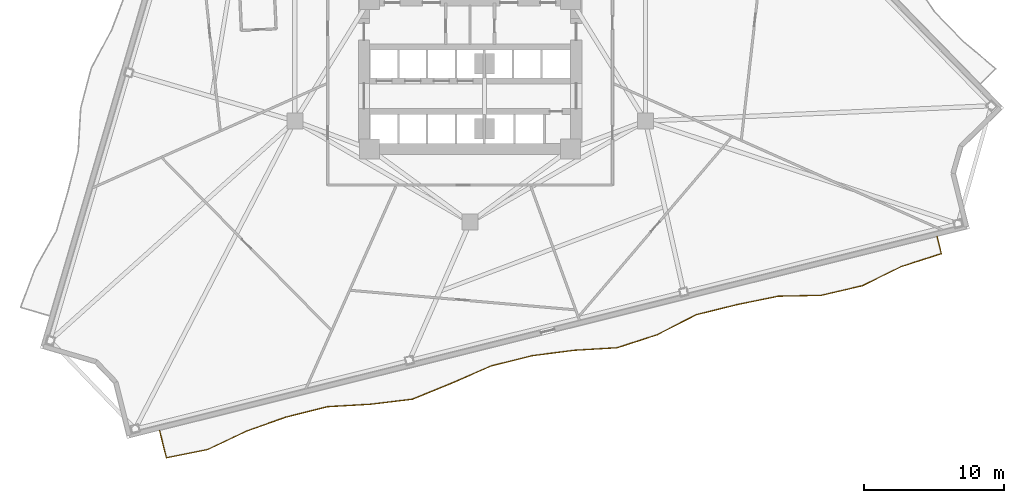
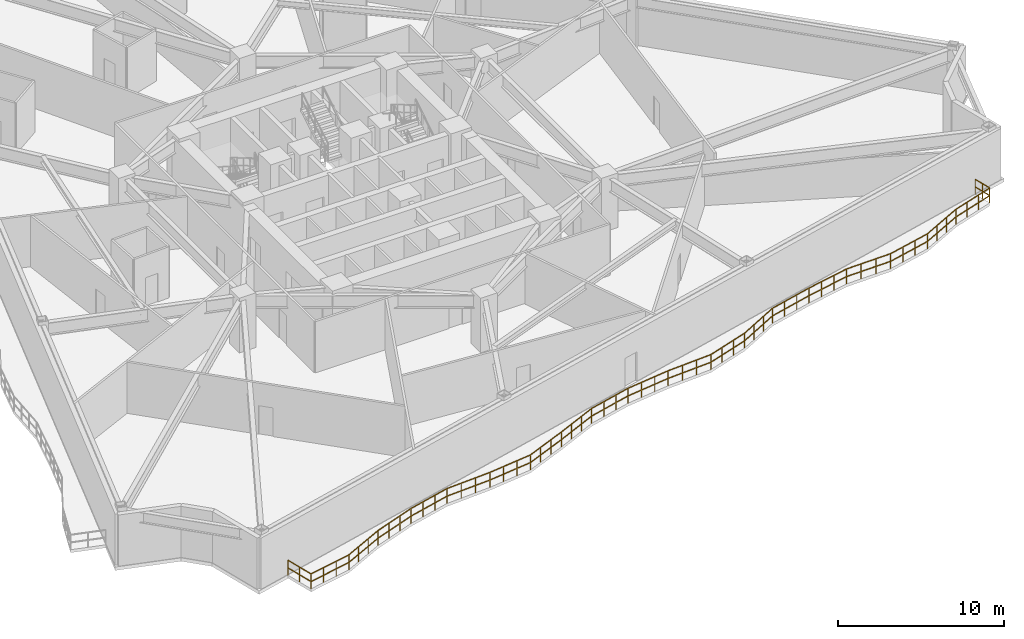
# One storey, part 7 of 10: 1 railing.
"""IFC4 building model written with IfcOpenShell, lengths in metres."""

from ifc_helpers import new_model, si_unit, direction, frame, origin, origin_2d, place, context, subcontext, project, spatial, rectangle, extrude, material, type_object, element, save


model = new_model("IFC4")

# Units and contexts
model_context = context("Model", 3, precision=1e-05, world=origin(), true_north=direction((0.0, 1.0)))
body_context = subcontext(model_context, "Body", "Model", "MODEL_VIEW")
ifc_project = project(units=[si_unit("LENGTHUNIT", "METRE"), si_unit("AREAUNIT", "SQUARE_METRE"), si_unit("VOLUMEUNIT", "CUBIC_METRE"), si_unit("PLANEANGLEUNIT", "RADIAN"), si_unit("MASSUNIT", "GRAM", prefix="KILO")], contexts=[model_context])

# Site, building, storey
site_placement = place(None, origin())
site = spatial("IfcSite", under=ifc_project, at=site_placement, CompositionType="ELEMENT")
building_placement = place(site_placement, origin())
building = spatial("IfcBuilding", under=site, at=building_placement, Name="Apsidion Concourse Tower", CompositionType="ELEMENT")
storey_placement = place(building_placement, frame((0.0, 0.0, 99.0)))
storey = spatial("IfcBuildingStorey", under=building, at=storey_placement, Name="L22", CompositionType="ELEMENT", Elevation=99.0)

# Railing
ifc_material = material(Name="Brushed stainless steel 316", Category="steel")
railing_type = type_object("IfcRailingType", Name="RL-BAL-1120", PredefinedType="BALUSTRADE", material=ifc_material)
railing_placement = place(storey_placement, frame((33.4599609375, -15.544677734375, 0.0)))
element("IfcRailing", 1, at=railing_placement, inside=storey, type_object=railing_type, Name="L22 Face 2 Rippling Balcony Balustrade", PredefinedType="BALUSTRADE", context=body_context, shape_type="SweptSolid", body=[
    extrude(rectangle(XDim=0.048095703125, YDim=0.048095703125, at=origin_2d()), frame((0.0, 0.0, 1.09619140625), z_axis=(0.241800250988, -0.970326047585, 0.0), x_axis=(0.970326047585, 0.241800250988, 0.0)), (0.0, 0.0, 1.0), 1.25),
    extrude(rectangle(XDim=0.048095703125, YDim=0.048095703125, at=origin_2d()), frame((0.0, 0.0, 0.5361328125), z_axis=(0.241800250988, -0.970326047585, 0.0), x_axis=(0.970326047585, 0.241800250988, 0.0)), (0.0, 0.0, 1.0), 1.25),
    extrude(rectangle(XDim=0.048095703125, YDim=0.048095703125, at=origin_2d()), frame((0.30224609375, -1.212890625, 1.09619140625), z_axis=(-0.952093132776, -0.30580821853, 0.0), x_axis=(0.30580821853, -0.952093132776, 0.0)), (0.0, 0.0, 1.0), 3.028076171875),
    extrude(rectangle(XDim=0.048095703125, YDim=0.048095703125, at=origin_2d()), frame((0.30224609375, -1.212890625, 0.5361328125), z_axis=(-0.952093132776, -0.30580821853, 0.0), x_axis=(0.30580821853, -0.952093132776, 0.0)), (0.0, 0.0, 1.0), 3.028076171875),
    extrude(rectangle(XDim=0.048095703125, YDim=0.048095703125, at=origin_2d()), frame((-2.580810546875, -2.138916015625, 1.09619140625), z_axis=(-0.896689328315, -0.442660421189, 0.0), x_axis=(0.442660421189, -0.896689328315, 0.0)), (0.0, 0.0, 1.0), 3.092529296875),
    extrude(rectangle(XDim=0.048095703125, YDim=0.048095703125, at=origin_2d()), frame((-2.580810546875, -2.138916015625, 0.5361328125), z_axis=(-0.896689328315, -0.442660421189, 0.0), x_axis=(0.442660421189, -0.896689328315, 0.0)), (0.0, 0.0, 1.0), 3.092529296875),
    extrude(rectangle(XDim=0.048095703125, YDim=0.048095703125, at=origin_2d()), frame((-5.353759765625, -3.5078125, 1.09619140625), z_axis=(-0.973472238197, -0.228805160476, 0.0), x_axis=(0.228805160476, -0.973472238197, 0.0)), (0.0, 0.0, 1.0), 3.021728515625),
    extrude(rectangle(XDim=0.048095703125, YDim=0.048095703125, at=origin_2d()), frame((-5.353759765625, -3.5078125, 0.5361328125), z_axis=(-0.973472238197, -0.228805160476, 0.0), x_axis=(0.228805160476, -0.973472238197, 0.0)), (0.0, 0.0, 1.0), 3.021728515625),
    extrude(rectangle(XDim=0.048095703125, YDim=0.048095703125, at=origin_2d()), frame((-8.29541015625, -4.19921875, 1.09619140625), z_axis=(-0.999791818463, -0.020403914663, 0.0), x_axis=(0.020403914663, -0.999791818463, 0.0)), (0.0, 0.0, 1.0), 3.09912109375),
    extrude(rectangle(XDim=0.048095703125, YDim=0.048095703125, at=origin_2d()), frame((-8.29541015625, -4.19921875, 0.5361328125), z_axis=(-0.999791818463, -0.020403914663, 0.0), x_axis=(0.020403914663, -0.999791818463, 0.0)), (0.0, 0.0, 1.0), 3.09912109375),
    extrude(rectangle(XDim=0.048095703125, YDim=0.048095703125, at=origin_2d()), frame((-11.393798828125, -4.262451171875, 1.09619140625), z_axis=(-0.979771445495, -0.200119750629, 0.0), x_axis=(0.200119750629, -0.979771445495, 0.0)), (0.0, 0.0, 1.0), 3.0244140625),
    extrude(rectangle(XDim=0.048095703125, YDim=0.048095703125, at=origin_2d()), frame((-11.393798828125, -4.262451171875, 0.5361328125), z_axis=(-0.979771445495, -0.200119750629, 0.0), x_axis=(0.200119750629, -0.979771445495, 0.0)), (0.0, 0.0, 1.0), 3.0244140625),
    extrude(rectangle(XDim=0.048095703125, YDim=0.048095703125, at=origin_2d()), frame((-14.35693359375, -4.86767578125, 1.09619140625), z_axis=(-0.970299139815, -0.241908204231, 0.0), x_axis=(0.241908204231, -0.970299139815, 0.0)), (0.0, 0.0, 1.0), 3.021728515625),
    extrude(rectangle(XDim=0.048095703125, YDim=0.048095703125, at=origin_2d()), frame((-14.35693359375, -4.86767578125, 0.5361328125), z_axis=(-0.970299139815, -0.241908204231, 0.0), x_axis=(0.241908204231, -0.970299139815, 0.0)), (0.0, 0.0, 1.0), 3.021728515625),
    extrude(rectangle(XDim=0.048095703125, YDim=0.048095703125, at=origin_2d()), frame((-17.288818359375, -5.5986328125, 1.09619140625), z_axis=(-0.889159812183, -0.457596796752, 0.0), x_axis=(0.457596796752, -0.889159812183, 0.0)), (0.0, 0.0, 1.0), 3.10400390625),
    extrude(rectangle(XDim=0.048095703125, YDim=0.048095703125, at=origin_2d()), frame((-17.288818359375, -5.5986328125, 0.5361328125), z_axis=(-0.889159812183, -0.457596796752, 0.0), x_axis=(0.457596796752, -0.889159812183, 0.0)), (0.0, 0.0, 1.0), 3.10400390625),
    extrude(rectangle(XDim=0.048095703125, YDim=0.048095703125, at=origin_2d()), frame((-20.048828125, -7.01904296875, 1.09619140625), z_axis=(-0.951105122906, -0.308867358557, 0.0), x_axis=(0.308867358557, -0.951105122906, 0.0)), (0.0, 0.0, 1.0), 3.029052734375),
    extrude(rectangle(XDim=0.048095703125, YDim=0.048095703125, at=origin_2d()), frame((-20.048828125, -7.01904296875, 0.5361328125), z_axis=(-0.951105122906, -0.308867358557, 0.0), x_axis=(0.308867358557, -0.951105122906, 0.0)), (0.0, 0.0, 1.0), 3.029052734375),
    extrude(rectangle(XDim=0.048095703125, YDim=0.048095703125, at=origin_2d()), frame((-22.9296875, -7.95458984375, 1.09619140625), z_axis=(-0.998252947099, -0.059085138635, 0.0), x_axis=(0.059085138635, -0.998252947099, 0.0)), (0.0, 0.0, 1.0), 3.07421875),
    extrude(rectangle(XDim=0.048095703125, YDim=0.048095703125, at=origin_2d()), frame((-22.9296875, -7.95458984375, 0.5361328125), z_axis=(-0.998252947099, -0.059085138635, 0.0), x_axis=(0.059085138635, -0.998252947099, 0.0)), (0.0, 0.0, 1.0), 3.07421875),
    extrude(rectangle(XDim=0.048095703125, YDim=0.048095703125, at=origin_2d()), frame((-25.99853515625, -8.13623046875, 1.09619140625), z_axis=(-0.991899302643, -0.127026664193, 0.0), x_axis=(0.127026664193, -0.991899302643, 0.0)), (0.0, 0.0, 1.0), 3.04248046875),
    extrude(rectangle(XDim=0.048095703125, YDim=0.048095703125, at=origin_2d()), frame((-25.99853515625, -8.13623046875, 0.5361328125), z_axis=(-0.991899302643, -0.127026664193, 0.0), x_axis=(0.127026664193, -0.991899302643, 0.0)), (0.0, 0.0, 1.0), 3.04248046875),
    extrude(rectangle(XDim=0.048095703125, YDim=0.048095703125, at=origin_2d()), frame((-29.016357421875, -8.522705078125, 1.09619140625), z_axis=(-0.970299139815, -0.241908204231, 0.0), x_axis=(0.241908204231, -0.970299139815, 0.0)), (0.0, 0.0, 1.0), 3.021728515625),
    extrude(rectangle(XDim=0.048095703125, YDim=0.048095703125, at=origin_2d()), frame((-29.016357421875, -8.522705078125, 0.5361328125), z_axis=(-0.970299139815, -0.241908204231, 0.0), x_axis=(0.241908204231, -0.970299139815, 0.0)), (0.0, 0.0, 1.0), 3.021728515625),
    extrude(rectangle(XDim=0.048095703125, YDim=0.048095703125, at=origin_2d()), frame((-31.9482421875, -9.253662109375, 1.09619140625), z_axis=(-0.916148193567, -0.400839727852, 0.0), x_axis=(0.400839727852, -0.916148193567, 0.0)), (0.0, 0.0, 1.0), 3.06494140625),
    extrude(rectangle(XDim=0.048095703125, YDim=0.048095703125, at=origin_2d()), frame((-31.9482421875, -9.253662109375, 0.5361328125), z_axis=(-0.916148193567, -0.400839727852, 0.0), x_axis=(0.400839727852, -0.916148193567, 0.0)), (0.0, 0.0, 1.0), 3.06494140625),
    extrude(rectangle(XDim=0.048095703125, YDim=0.048095703125, at=origin_2d()), frame((-34.756103515625, -10.482177734375, 1.09619140625), z_axis=(-0.925732827899, -0.378178174079, 0.0), x_axis=(0.378178174079, -0.925732827899, 0.0)), (0.0, 0.0, 1.0), 3.052978515625),
    extrude(rectangle(XDim=0.048095703125, YDim=0.048095703125, at=origin_2d()), frame((-34.756103515625, -10.482177734375, 0.5361328125), z_axis=(-0.925732827899, -0.378178174079, 0.0), x_axis=(0.378178174079, -0.925732827899, 0.0)), (0.0, 0.0, 1.0), 3.052978515625),
    extrude(rectangle(XDim=0.048095703125, YDim=0.048095703125, at=origin_2d()), frame((-37.582275390625, -11.63671875, 1.09619140625), z_axis=(-0.992711997389, -0.120510954856, 0.0), x_axis=(0.120510954856, -0.992711997389, 0.0)), (0.0, 0.0, 1.0), 3.044921875),
    extrude(rectangle(XDim=0.048095703125, YDim=0.048095703125, at=origin_2d()), frame((-37.582275390625, -11.63671875, 0.5361328125), z_axis=(-0.992711997389, -0.120510954856, 0.0), x_axis=(0.120510954856, -0.992711997389, 0.0)), (0.0, 0.0, 1.0), 3.044921875),
    extrude(rectangle(XDim=0.048095703125, YDim=0.048095703125, at=origin_2d()), frame((-40.60498046875, -12.003662109375, 1.09619140625), z_axis=(-0.998397194693, -0.056595420561, 0.0), x_axis=(0.056595420561, -0.998397194693, 0.0)), (0.0, 0.0, 1.0), 3.07568359375),
    extrude(rectangle(XDim=0.048095703125, YDim=0.048095703125, at=origin_2d()), frame((-40.60498046875, -12.003662109375, 0.5361328125), z_axis=(-0.998397194693, -0.056595420561, 0.0), x_axis=(0.056595420561, -0.998397194693, 0.0)), (0.0, 0.0, 1.0), 3.07568359375),
    extrude(rectangle(XDim=0.048095703125, YDim=0.048095703125, at=origin_2d()), frame((-43.67578125, -12.177734375, 1.09619140625), z_axis=(-0.970299139815, -0.241908204231, 0.0), x_axis=(0.241908204231, -0.970299139815, 0.0)), (0.0, 0.0, 1.0), 3.021728515625),
    extrude(rectangle(XDim=0.048095703125, YDim=0.048095703125, at=origin_2d()), frame((-43.67578125, -12.177734375, 0.5361328125), z_axis=(-0.970299139815, -0.241908204231, 0.0), x_axis=(0.241908204231, -0.970299139815, 0.0)), (0.0, 0.0, 1.0), 3.021728515625),
    extrude(rectangle(XDim=0.048095703125, YDim=0.048095703125, at=origin_2d()), frame((-46.607666015625, -12.90869140625, 1.09619140625), z_axis=(-0.942843233631, -0.333236607826, 0.0), x_axis=(0.333236607826, -0.942843233631, 0.0)), (0.0, 0.0, 1.0), 3.035400390625),
    extrude(rectangle(XDim=0.048095703125, YDim=0.048095703125, at=origin_2d()), frame((-46.607666015625, -12.90869140625, 0.5361328125), z_axis=(-0.942843233631, -0.333236607826, 0.0), x_axis=(0.333236607826, -0.942843233631, 0.0)), (0.0, 0.0, 1.0), 3.035400390625),
    extrude(rectangle(XDim=0.048095703125, YDim=0.048095703125, at=origin_2d()), frame((-49.469482421875, -13.920166015625, 1.09619140625), z_axis=(-0.903319707023, -0.428967955567, 0.0), x_axis=(0.428967955567, -0.903319707023, 0.0)), (0.0, 0.0, 1.0), 3.08251953125),
    extrude(rectangle(XDim=0.048095703125, YDim=0.048095703125, at=origin_2d()), frame((-49.469482421875, -13.920166015625, 0.5361328125), z_axis=(-0.903319707023, -0.428967955567, 0.0), x_axis=(0.428967955567, -0.903319707023, 0.0)), (0.0, 0.0, 1.0), 3.08251953125),
    extrude(rectangle(XDim=0.048095703125, YDim=0.048095703125, at=origin_2d()), frame((-52.25390625, -15.242431640625, 1.09619140625), z_axis=(-0.980384621556, -0.197093870572, 0.0), x_axis=(0.197093870572, -0.980384621556, 0.0)), (0.0, 0.0, 1.0), 3.02490234375),
    extrude(rectangle(XDim=0.048095703125, YDim=0.048095703125, at=origin_2d()), frame((-52.25390625, -15.242431640625, 0.5361328125), z_axis=(-0.980384621556, -0.197093870572, 0.0), x_axis=(0.197093870572, -0.980384621556, 0.0)), (0.0, 0.0, 1.0), 3.02490234375),
    extrude(rectangle(XDim=0.048095703125, YDim=0.048095703125, at=origin_2d()), frame((-55.219482421875, -15.838623046875, 1.09619140625), z_axis=(-0.241906632548, 0.970299531655, 0.0), x_axis=(-0.970299531655, -0.241906632548, 0.0)), (0.0, 0.0, 1.0), 2.00927734375),
    extrude(rectangle(XDim=0.048095703125, YDim=0.048095703125, at=origin_2d()), frame((-55.219482421875, -15.838623046875, 0.5361328125), z_axis=(-0.241906632548, 0.970299531655, 0.0), x_axis=(-0.970299531655, -0.241906632548, 0.0)), (0.0, 0.0, 1.0), 2.00927734375),
    extrude(rectangle(XDim=0.0419921875, YDim=0.0419921875, at=origin_2d()), origin(), (0.0, 0.0, 1.0), 1.072021484375),
    extrude(rectangle(XDim=0.0419921875, YDim=0.0419921875, at=origin_2d()), frame((0.151123046875, -0.6064453125, 0.0)), (0.0, 0.0, 1.0), 1.072021484375),
    extrude(rectangle(XDim=0.0419921875, YDim=0.0419921875, at=origin_2d()), frame((0.30224609375, -1.212890625, 0.0)), (0.0, 0.0, 1.0), 1.072021484375),
    extrude(rectangle(XDim=0.0419921875, YDim=0.0419921875, at=origin_2d()), frame((-0.65869140625, -1.521484375, 0.0)), (0.0, 0.0, 1.0), 1.072021484375),
    extrude(rectangle(XDim=0.0419921875, YDim=0.0419921875, at=origin_2d()), frame((-1.619873046875, -1.830322265625, 0.0)), (0.0, 0.0, 1.0), 1.072021484375),
    extrude(rectangle(XDim=0.0419921875, YDim=0.0419921875, at=origin_2d()), frame((-2.580810546875, -2.138916015625, 0.0)), (0.0, 0.0, 1.0), 1.072021484375),
    extrude(rectangle(XDim=0.0419921875, YDim=0.0419921875, at=origin_2d()), frame((-3.505126953125, -2.59521484375, 0.0)), (0.0, 0.0, 1.0), 1.072021484375),
    extrude(rectangle(XDim=0.0419921875, YDim=0.0419921875, at=origin_2d()), frame((-4.429443359375, -3.051513671875, 0.0)), (0.0, 0.0, 1.0), 1.072021484375),
    extrude(rectangle(XDim=0.0419921875, YDim=0.0419921875, at=origin_2d()), frame((-5.353759765625, -3.5078125, 0.0)), (0.0, 0.0, 1.0), 1.072021484375),
    extrude(rectangle(XDim=0.0419921875, YDim=0.0419921875, at=origin_2d()), frame((-6.334228515625, -3.73828125, 0.0)), (0.0, 0.0, 1.0), 1.072021484375),
    extrude(rectangle(XDim=0.0419921875, YDim=0.0419921875, at=origin_2d()), frame((-7.31494140625, -3.96875, 0.0)), (0.0, 0.0, 1.0), 1.072021484375),
    extrude(rectangle(XDim=0.0419921875, YDim=0.0419921875, at=origin_2d()), frame((-8.29541015625, -4.19921875, 0.0)), (0.0, 0.0, 1.0), 1.072021484375),
    extrude(rectangle(XDim=0.0419921875, YDim=0.0419921875, at=origin_2d()), frame((-9.328125, -4.22021484375, 0.0)), (0.0, 0.0, 1.0), 1.072021484375),
    extrude(rectangle(XDim=0.0419921875, YDim=0.0419921875, at=origin_2d()), frame((-10.361083984375, -4.241455078125, 0.0)), (0.0, 0.0, 1.0), 1.072021484375),
    extrude(rectangle(XDim=0.0419921875, YDim=0.0419921875, at=origin_2d()), frame((-11.393798828125, -4.262451171875, 0.0)), (0.0, 0.0, 1.0), 1.072021484375),
    extrude(rectangle(XDim=0.0419921875, YDim=0.0419921875, at=origin_2d()), frame((-12.381591796875, -4.464111328125, 0.0)), (0.0, 0.0, 1.0), 1.072021484375),
    extrude(rectangle(XDim=0.0419921875, YDim=0.0419921875, at=origin_2d()), frame((-13.369140625, -4.666015625, 0.0)), (0.0, 0.0, 1.0), 1.072021484375),
    extrude(rectangle(XDim=0.0419921875, YDim=0.0419921875, at=origin_2d()), frame((-14.35693359375, -4.86767578125, 0.0)), (0.0, 0.0, 1.0), 1.072021484375),
    extrude(rectangle(XDim=0.0419921875, YDim=0.0419921875, at=origin_2d()), frame((-15.334228515625, -5.111328125, 0.0)), (0.0, 0.0, 1.0), 1.072021484375),
    extrude(rectangle(XDim=0.0419921875, YDim=0.0419921875, at=origin_2d()), frame((-16.3115234375, -5.35498046875, 0.0)), (0.0, 0.0, 1.0), 1.072021484375),
    extrude(rectangle(XDim=0.0419921875, YDim=0.0419921875, at=origin_2d()), frame((-17.288818359375, -5.5986328125, 0.0)), (0.0, 0.0, 1.0), 1.072021484375),
    extrude(rectangle(XDim=0.0419921875, YDim=0.0419921875, at=origin_2d()), frame((-18.208740234375, -6.072021484375, 0.0)), (0.0, 0.0, 1.0), 1.072021484375),
    extrude(rectangle(XDim=0.0419921875, YDim=0.0419921875, at=origin_2d()), frame((-19.12890625, -6.545654296875, 0.0)), (0.0, 0.0, 1.0), 1.072021484375),
    extrude(rectangle(XDim=0.0419921875, YDim=0.0419921875, at=origin_2d()), frame((-20.048828125, -7.01904296875, 0.0)), (0.0, 0.0, 1.0), 1.072021484375),
    extrude(rectangle(XDim=0.0419921875, YDim=0.0419921875, at=origin_2d()), frame((-21.009033203125, -7.330810546875, 0.0)), (0.0, 0.0, 1.0), 1.072021484375),
    extrude(rectangle(XDim=0.0419921875, YDim=0.0419921875, at=origin_2d()), frame((-21.969482421875, -7.642822265625, 0.0)), (0.0, 0.0, 1.0), 1.072021484375),
    extrude(rectangle(XDim=0.0419921875, YDim=0.0419921875, at=origin_2d()), frame((-22.9296875, -7.95458984375, 0.0)), (0.0, 0.0, 1.0), 1.072021484375),
    extrude(rectangle(XDim=0.0419921875, YDim=0.0419921875, at=origin_2d()), frame((-23.95263671875, -8.01513671875, 0.0)), (0.0, 0.0, 1.0), 1.072021484375),
    extrude(rectangle(XDim=0.0419921875, YDim=0.0419921875, at=origin_2d()), frame((-24.9755859375, -8.07568359375, 0.0)), (0.0, 0.0, 1.0), 1.072021484375),
    extrude(rectangle(XDim=0.0419921875, YDim=0.0419921875, at=origin_2d()), frame((-25.99853515625, -8.13623046875, 0.0)), (0.0, 0.0, 1.0), 1.072021484375),
    extrude(rectangle(XDim=0.0419921875, YDim=0.0419921875, at=origin_2d()), frame((-27.00439453125, -8.26513671875, 0.0)), (0.0, 0.0, 1.0), 1.072021484375),
    extrude(rectangle(XDim=0.0419921875, YDim=0.0419921875, at=origin_2d()), frame((-28.010498046875, -8.393798828125, 0.0)), (0.0, 0.0, 1.0), 1.072021484375),
    extrude(rectangle(XDim=0.0419921875, YDim=0.0419921875, at=origin_2d()), frame((-29.016357421875, -8.522705078125, 0.0)), (0.0, 0.0, 1.0), 1.072021484375),
    extrude(rectangle(XDim=0.0419921875, YDim=0.0419921875, at=origin_2d()), frame((-29.99365234375, -8.766357421875, 0.0)), (0.0, 0.0, 1.0), 1.072021484375),
    extrude(rectangle(XDim=0.0419921875, YDim=0.0419921875, at=origin_2d()), frame((-30.970947265625, -9.010009765625, 0.0)), (0.0, 0.0, 1.0), 1.072021484375),
    extrude(rectangle(XDim=0.0419921875, YDim=0.0419921875, at=origin_2d()), frame((-31.9482421875, -9.253662109375, 0.0)), (0.0, 0.0, 1.0), 1.072021484375),
    extrude(rectangle(XDim=0.0419921875, YDim=0.0419921875, at=origin_2d()), frame((-32.88427734375, -9.6630859375, 0.0)), (0.0, 0.0, 1.0), 1.072021484375),
    extrude(rectangle(XDim=0.0419921875, YDim=0.0419921875, at=origin_2d()), frame((-33.820068359375, -10.07275390625, 0.0)), (0.0, 0.0, 1.0), 1.072021484375),
    extrude(rectangle(XDim=0.0419921875, YDim=0.0419921875, at=origin_2d()), frame((-34.756103515625, -10.482177734375, 0.0)), (0.0, 0.0, 1.0), 1.072021484375),
    extrude(rectangle(XDim=0.0419921875, YDim=0.0419921875, at=origin_2d()), frame((-35.6982421875, -10.866943359375, 0.0)), (0.0, 0.0, 1.0), 1.072021484375),
    extrude(rectangle(XDim=0.0419921875, YDim=0.0419921875, at=origin_2d()), frame((-36.64013671875, -11.251953125, 0.0)), (0.0, 0.0, 1.0), 1.072021484375),
    extrude(rectangle(XDim=0.0419921875, YDim=0.0419921875, at=origin_2d()), frame((-37.582275390625, -11.63671875, 0.0)), (0.0, 0.0, 1.0), 1.072021484375),
    extrude(rectangle(XDim=0.0419921875, YDim=0.0419921875, at=origin_2d()), frame((-38.58984375, -11.759033203125, 0.0)), (0.0, 0.0, 1.0), 1.072021484375),
    extrude(rectangle(XDim=0.0419921875, YDim=0.0419921875, at=origin_2d()), frame((-39.597412109375, -11.88134765625, 0.0)), (0.0, 0.0, 1.0), 1.072021484375),
    extrude(rectangle(XDim=0.0419921875, YDim=0.0419921875, at=origin_2d()), frame((-40.60498046875, -12.003662109375, 0.0)), (0.0, 0.0, 1.0), 1.072021484375),
    extrude(rectangle(XDim=0.0419921875, YDim=0.0419921875, at=origin_2d()), frame((-41.628662109375, -12.061767578125, 0.0)), (0.0, 0.0, 1.0), 1.072021484375),
    extrude(rectangle(XDim=0.0419921875, YDim=0.0419921875, at=origin_2d()), frame((-42.652099609375, -12.11962890625, 0.0)), (0.0, 0.0, 1.0), 1.072021484375),
    extrude(rectangle(XDim=0.0419921875, YDim=0.0419921875, at=origin_2d()), frame((-43.67578125, -12.177734375, 0.0)), (0.0, 0.0, 1.0), 1.072021484375),
    extrude(rectangle(XDim=0.0419921875, YDim=0.0419921875, at=origin_2d()), frame((-44.653076171875, -12.42138671875, 0.0)), (0.0, 0.0, 1.0), 1.072021484375),
    extrude(rectangle(XDim=0.0419921875, YDim=0.0419921875, at=origin_2d()), frame((-45.63037109375, -12.6650390625, 0.0)), (0.0, 0.0, 1.0), 1.072021484375),
    extrude(rectangle(XDim=0.0419921875, YDim=0.0419921875, at=origin_2d()), frame((-46.607666015625, -12.90869140625, 0.0)), (0.0, 0.0, 1.0), 1.072021484375),
    extrude(rectangle(XDim=0.0419921875, YDim=0.0419921875, at=origin_2d()), frame((-47.5615234375, -13.245849609375, 0.0)), (0.0, 0.0, 1.0), 1.072021484375),
    extrude(rectangle(XDim=0.0419921875, YDim=0.0419921875, at=origin_2d()), frame((-48.515625, -13.5830078125, 0.0)), (0.0, 0.0, 1.0), 1.072021484375),
    extrude(rectangle(XDim=0.0419921875, YDim=0.0419921875, at=origin_2d()), frame((-49.469482421875, -13.920166015625, 0.0)), (0.0, 0.0, 1.0), 1.072021484375),
    extrude(rectangle(XDim=0.0419921875, YDim=0.0419921875, at=origin_2d()), frame((-50.397705078125, -14.36083984375, 0.0)), (0.0, 0.0, 1.0), 1.072021484375),
    extrude(rectangle(XDim=0.0419921875, YDim=0.0419921875, at=origin_2d()), frame((-51.32568359375, -14.8017578125, 0.0)), (0.0, 0.0, 1.0), 1.072021484375),
    extrude(rectangle(XDim=0.0419921875, YDim=0.0419921875, at=origin_2d()), frame((-52.25390625, -15.242431640625, 0.0)), (0.0, 0.0, 1.0), 1.072021484375),
    extrude(rectangle(XDim=0.0419921875, YDim=0.0419921875, at=origin_2d()), frame((-53.242431640625, -15.441162109375, 0.0)), (0.0, 0.0, 1.0), 1.072021484375),
    extrude(rectangle(XDim=0.0419921875, YDim=0.0419921875, at=origin_2d()), frame((-54.23095703125, -15.639892578125, 0.0)), (0.0, 0.0, 1.0), 1.072021484375),
    extrude(rectangle(XDim=0.0419921875, YDim=0.0419921875, at=origin_2d()), frame((-55.219482421875, -15.838623046875, 0.0)), (0.0, 0.0, 1.0), 1.072021484375),
    extrude(rectangle(XDim=0.0419921875, YDim=0.0419921875, at=origin_2d()), frame((-55.46240234375, -14.86376953125, 0.0)), (0.0, 0.0, 1.0), 1.072021484375),
    extrude(rectangle(XDim=0.0419921875, YDim=0.0419921875, at=origin_2d()), frame((-55.70556640625, -13.888916015625, 0.0)), (0.0, 0.0, 1.0), 1.072021484375),
])

save(model, "model.ifc")
